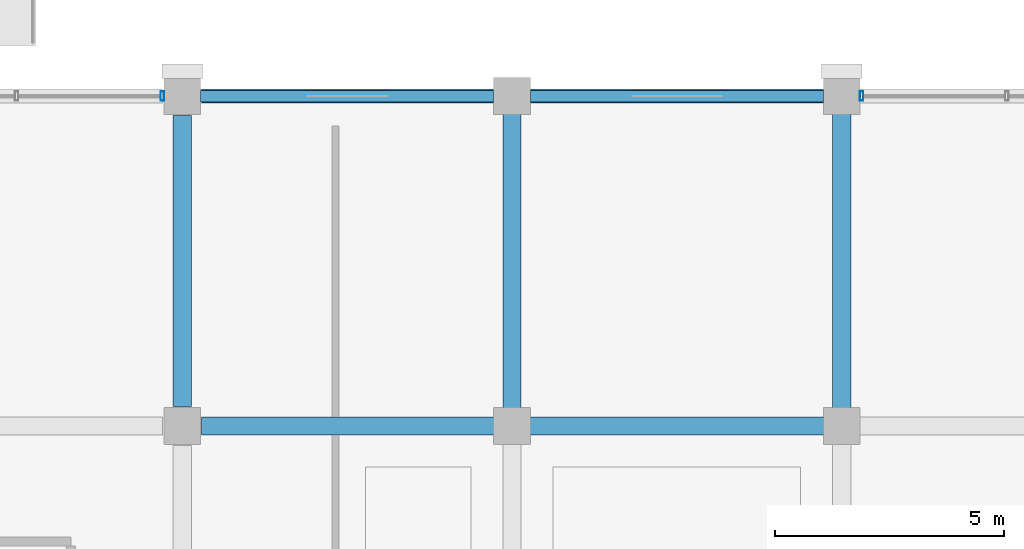
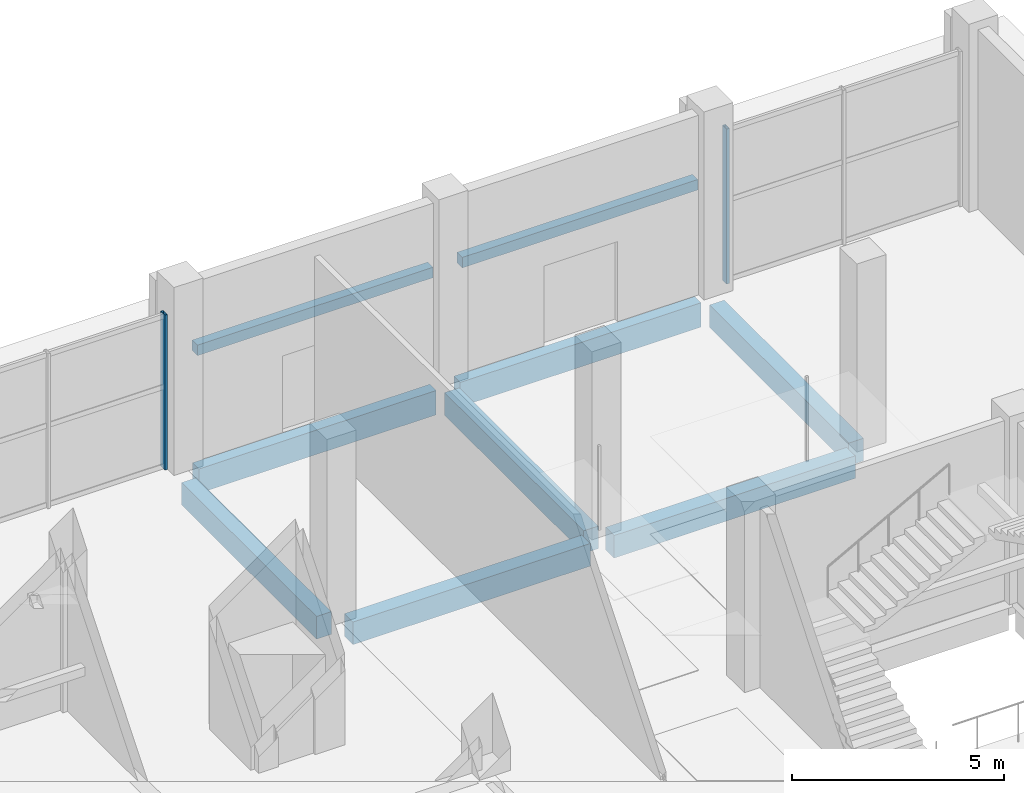
# One storey, part 49 of 90: 9 beams, 2 members, 2 elements without a shape of their own.
"""IFC4 building model written with IfcOpenShell, lengths in metres."""

from ifc_helpers import new_model, si_unit, direction, frame, origin, origin_2d, place, context, subcontext, project, spatial, rectangle, hollow_rectangle, extrude, material, layer, layer_set, material_profile, profile_set, type_object, element, aggregate, save


model = new_model("IFC4")

# Units and contexts
model_context = context("Model", 3, precision=1e-05, world=origin(), true_north=direction((0.0, 1.0)))
body_context = subcontext(model_context, "Body", "Model", "MODEL_VIEW")
ifc_project = project(units=[si_unit("LENGTHUNIT", "METRE"), si_unit("AREAUNIT", "SQUARE_METRE"), si_unit("VOLUMEUNIT", "CUBIC_METRE"), si_unit("PLANEANGLEUNIT", "RADIAN"), si_unit("MASSUNIT", "GRAM", prefix="KILO")], contexts=[model_context])

# Site, building, storey
site_placement = place(None, origin())
site = spatial("IfcSite", under=ifc_project, at=site_placement, CompositionType="ELEMENT")
building_placement = place(site_placement, origin())
building = spatial("IfcBuilding", under=site, at=building_placement, Name="Kangsadwip Square Police Headquarters", CompositionType="ELEMENT")
storey_placement = place(building_placement, origin())
storey = spatial("IfcBuildingStorey", under=building, at=storey_placement, Name="L00", CompositionType="ELEMENT", Elevation=0.0)

# Curtain wall, member
ifc_material_1 = material(Name="Thermally broken anodised aluminium AW-6063-T6", Category="aluminium")
ifc_layer_1 = layer(ifc_material_1, 0.159912109375)
ifc_layer_set_1 = layer_set([ifc_layer_1], Name="Thermally broken anodised aluminium AW-6063-T6")
curtain_wall_type_1 = type_object("IfcCurtainWallType", Name="UnitisedCw6435x4450", PredefinedType="NOTDEFINED", material=ifc_layer_set_1)
curtain_wall_1_placement = place(storey_placement, origin())
curtain_wall_1 = element("IfcCurtainWall", 1, at=curtain_wall_1_placement, inside=storey, type_object=curtain_wall_type_1, Name="Curtain Wall CW-L00-1372-1152", PredefinedType="NOTDEFINED")
ifc_material_2 = material(Name="Thermally broken anodised aluminium AW-6063-T6", Category="aluminium")
ifc_material_profile_1 = material_profile(ifc_material_2, hollow_rectangle(XDim=0.074951171875, YDim=0.199951171875, WallThickness=0.0048828125, at=origin_2d()), Name="CWM 200X75X5")
ifc_profile_set_1 = profile_set([ifc_material_profile_1], Name="Thermally broken anodised aluminium AW-6063-T6")
member_type = type_object("IfcMemberType", Name="CwMullion180x75", PredefinedType="MULLION", material=ifc_profile_set_1)
member_1_placement = place(storey_placement, frame((143.5673828125, 115.199951171875, 0.0), z_axis=(0.0, 0.0, 1.0), x_axis=(1.0, 0.0, 0.0)))
member_1 = element("IfcMember", 2, at=member_1_placement, type_object=member_type, Name="CW-11 mullion 3", PredefinedType="MULLION", context=body_context, shape_type="SweptSolid", body=[
    extrude(hollow_rectangle(XDim=0.074951171875, YDim=0.199951171875, WallThickness=0.0048828125, at=origin_2d()), origin(), (0.0, 0.0, 1.0), 4.449951171875),
])
aggregate(curtain_wall_1, [member_1])

ifc_material_3 = material(Name="Thermally broken anodised aluminium AW-6063-T6", Category="aluminium")
ifc_layer_2 = layer(ifc_material_3, 0.159912109375)
ifc_layer_set_2 = layer_set([ifc_layer_2], Name="Thermally broken anodised aluminium AW-6063-T6")
curtain_wall_type_2 = type_object("IfcCurtainWallType", Name="UnitisedCw6410x4450", PredefinedType="NOTDEFINED", material=ifc_layer_set_2)
curtain_wall_2_placement = place(storey_placement, origin())
curtain_wall_2 = element("IfcCurtainWall", 3, at=curtain_wall_2_placement, inside=storey, type_object=curtain_wall_type_2, Name="Curtain Wall CW-L00-1588-1152", PredefinedType="NOTDEFINED")
member_2_placement = place(storey_placement, frame((158.83251953125, 115.199951171875, 0.0), z_axis=(0.0, 0.0, 1.0), x_axis=(1.0, 0.0, 0.0)))
member_2 = element("IfcMember", 4, at=member_2_placement, type_object=member_type, Name="CW-12 mullion 1", PredefinedType="MULLION", context=body_context, shape_type="SweptSolid", body=[
    extrude(hollow_rectangle(XDim=0.074951171875, YDim=0.199951171875, WallThickness=0.0048828125, at=origin_2d()), origin(), (0.0, 0.0, 1.0), 4.449951171875),
])
aggregate(curtain_wall_2, [member_2])

# Beams
ifc_material_4 = material(Name="Concrete M35 (35 MPa)", Category="concrete")
ifc_material_profile_2 = material_profile(ifc_material_4, rectangle(XDim=0.39990234375, YDim=0.64990234375, at=origin_2d()), Name="RC BM 650X400")
ifc_profile_set_2 = profile_set([ifc_material_profile_2], Name="Concrete M35 (35 MPa)")
beam_type_1 = type_object("IfcBeamType", Name="RcBeam650x400", PredefinedType="BEAM", material=ifc_profile_set_2)
beam_1_placement = place(storey_placement, frame((144.425048828125, 108.0, -0.574951171875), z_axis=(1.0, 0.0, 0.0), x_axis=(0.0, 1.0, 0.0)))
element("IfcBeam", 5, at=beam_1_placement, inside=storey, type_object=beam_type_1, Name="Beam BM-L00-X-20-15", PredefinedType="BEAM", context=body_context, shape_type="SweptSolid", body=[
    extrude(rectangle(XDim=0.39990234375, YDim=0.64990234375, at=origin_2d()), origin(), (0.0, 0.0, 1.0), 6.449951171875),
])
beam_2_placement = place(storey_placement, frame((151.52490234375, 108.0, -0.574951171875), z_axis=(1.0, 0.0, 0.0), x_axis=(0.0, 1.0, 0.0)))
element("IfcBeam", 6, at=beam_2_placement, inside=storey, type_object=beam_type_1, Name="Beam BM-L00-X-21-15", PredefinedType="BEAM", context=body_context, shape_type="SweptSolid", body=[
    extrude(rectangle(XDim=0.39990234375, YDim=0.64990234375, at=origin_2d()), origin(), (0.0, 0.0, 1.0), 6.550048828125),
])
beam_3_placement = place(storey_placement, frame((144.0, 108.425048828125, -0.574951171875), z_axis=(0.0, 1.0, 0.0), x_axis=(-1.0, 0.0, 0.0)))
element("IfcBeam", 7, at=beam_3_placement, inside=storey, type_object=beam_type_1, Name="Beam BM-L00-Y-20-15", PredefinedType="BEAM", context=body_context, shape_type="SweptSolid", body=[
    extrude(rectangle(XDim=0.39990234375, YDim=0.64990234375, at=origin_2d()), origin(), (0.0, 0.0, 1.0), 6.349853515625),
])
for number, where, z_axis, x_axis, name in (
    (8, (151.199951171875, 108.324951171875, -0.574951171875), (0.0, 1.0, 0.0), (-1.0, 0.0, 0.0), "Beam BM-L00-Y-21-15"),
    (9, (158.39990234375, 108.324951171875, -0.574951171875), (0.0, 1.0, 0.0), (-1.0, 0.0, 0.0), "Beam BM-L00-Y-22-15"),
):
    element("IfcBeam", number, at=place(storey_placement, frame(where, z_axis=z_axis, x_axis=x_axis)), inside=storey, type_object=beam_type_1, Name=name, PredefinedType="BEAM", context=body_context, shape_type="SweptSolid", body=[
        extrude(rectangle(XDim=0.39990234375, YDim=0.64990234375, at=origin_2d()), origin(), (0.0, 0.0, 1.0), 6.550048828125),
    ])
ifc_material_5 = material(Name="Concrete M35 (35 MPa)", Category="concrete")
ifc_material_profile_3 = material_profile(ifc_material_5, rectangle(XDim=0.25, YDim=0.300048828125, at=origin_2d()), Name="RC LNT 300X250")
ifc_profile_set_3 = profile_set([ifc_material_profile_3], Name="Concrete M35 (35 MPa)")
beam_type_2 = type_object("IfcBeamType", Name="RcLintel300x250", PredefinedType="LINTEL", material=ifc_profile_set_3)
beam_4_placement = place(storey_placement, frame((144.39990234375, 115.199951171875, 3.14990234375), z_axis=(1.0, 0.0, 0.0), x_axis=(0.0, 1.0, 0.0)))
element("IfcBeam", 10, at=beam_4_placement, inside=storey, type_object=beam_type_2, Name="Opening Lintel Beam LNT-L00-0372", PredefinedType="LINTEL", context=body_context, shape_type="SweptSolid", body=[
    extrude(rectangle(XDim=0.25, YDim=0.300048828125, at=origin_2d()), origin(), (0.0, 0.0, 1.0), 6.400146484375),
])
beam_5_placement = place(storey_placement, frame((151.60009765625, 115.199951171875, 3.14990234375), z_axis=(1.0, 0.0, 0.0), x_axis=(0.0, 1.0, 0.0)))
element("IfcBeam", 11, at=beam_5_placement, inside=storey, type_object=beam_type_2, Name="Opening Lintel Beam LNT-L00-0373", PredefinedType="LINTEL", context=body_context, shape_type="SweptSolid", body=[
    extrude(rectangle(XDim=0.25, YDim=0.300048828125, at=origin_2d()), origin(), (0.0, 0.0, 1.0), 6.39990234375),
])
ifc_material_6 = material(Name="Concrete M40 (40 MPa)", Category="concrete")
ifc_material_profile_4 = material_profile(ifc_material_6, rectangle(XDim=0.300048828125, YDim=0.699951171875, at=origin_2d()), Name="RC SPN 700X300")
ifc_profile_set_4 = profile_set([ifc_material_profile_4], Name="Concrete M40 (40 MPa)")
beam_type_3 = type_object("IfcBeamType", Name="RcSpandrel700x300", PredefinedType="SPANDREL", material=ifc_profile_set_4)
beam_6_placement = place(storey_placement, frame((144.425048828125, 115.199951171875, -0.60009765625), z_axis=(1.0, 0.0, 0.0), x_axis=(0.0, 1.0, 0.0)))
element("IfcBeam", 12, at=beam_6_placement, inside=storey, type_object=beam_type_3, Name="Beam BM-L00-X-20-16", PredefinedType="SPANDREL", context=body_context, shape_type="SweptSolid", body=[
    extrude(rectangle(XDim=0.300048828125, YDim=0.699951171875, at=origin_2d()), origin(), (0.0, 0.0, 1.0), 6.449951171875),
])
beam_7_placement = place(storey_placement, frame((151.52490234375, 115.199951171875, -0.60009765625), z_axis=(1.0, 0.0, 0.0), x_axis=(0.0, 1.0, 0.0)))
element("IfcBeam", 13, at=beam_7_placement, inside=storey, type_object=beam_type_3, Name="Beam BM-L00-X-21-16", PredefinedType="SPANDREL", context=body_context, shape_type="SweptSolid", body=[
    extrude(rectangle(XDim=0.300048828125, YDim=0.699951171875, at=origin_2d()), origin(), (0.0, 0.0, 1.0), 6.550048828125),
])

save(model, "model.ifc")
